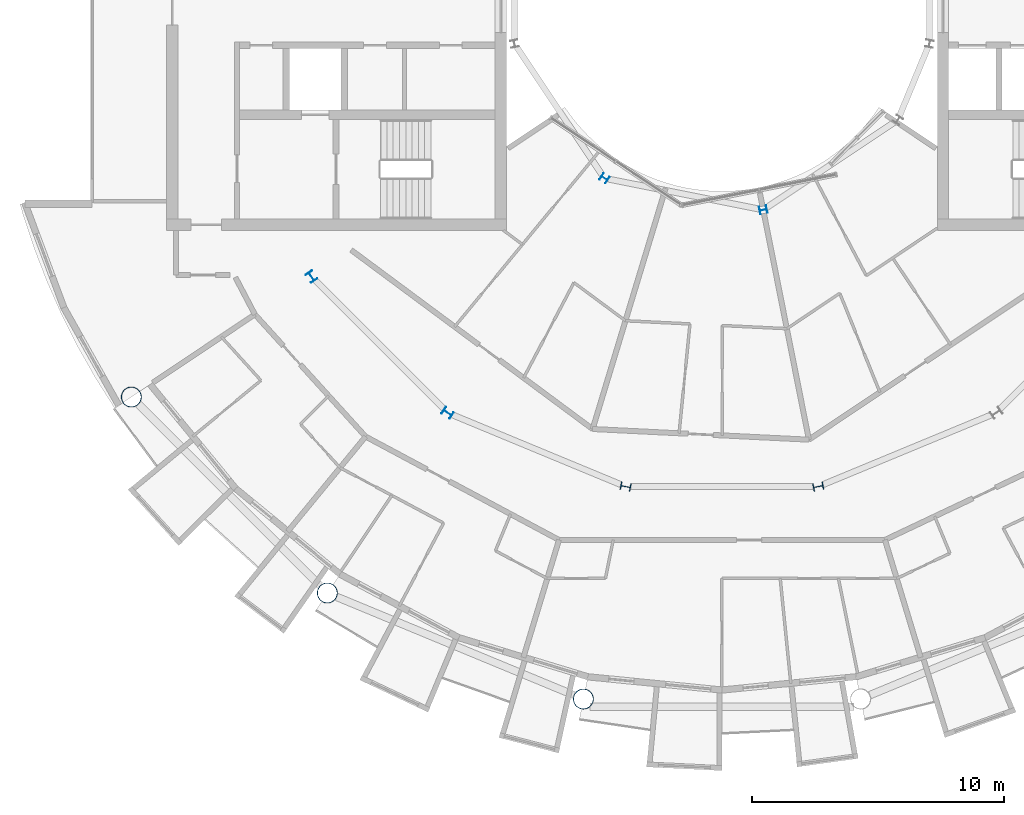
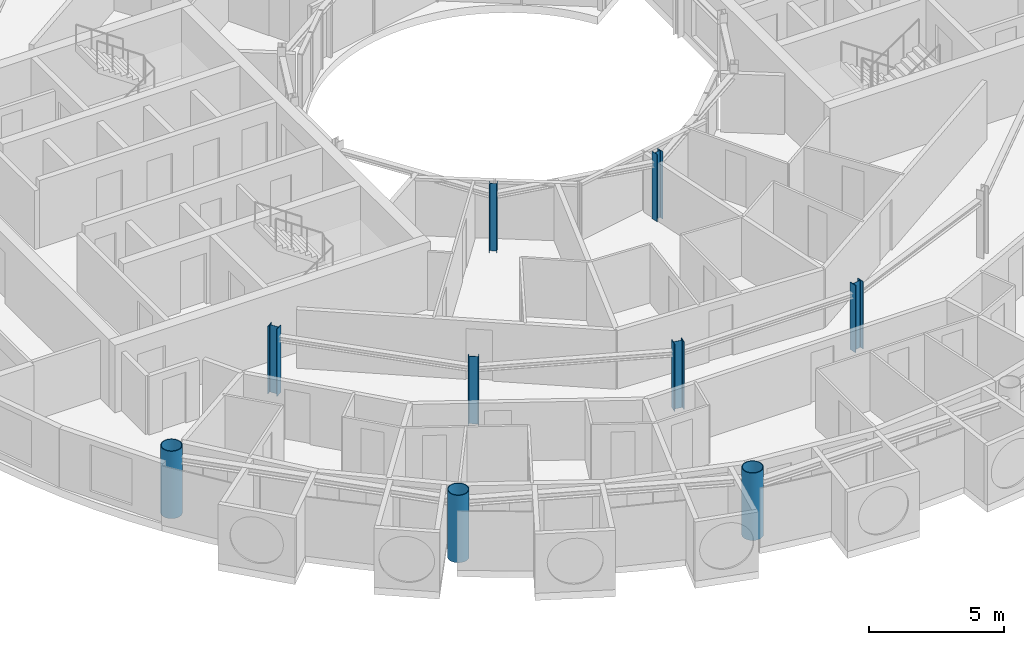
# One storey, part 1 of 28: 9 columns.
"""IFC4 building model written with IfcOpenShell, lengths in metres."""

from ifc_helpers import new_model, si_unit, direction, frame, origin, origin_2d, place, context, subcontext, project, spatial, hollow_circle, i_section, extrude, material, material_profile, profile_set, type_object, element, save


model = new_model("IFC4")

# Units and contexts
model_context = context("Model", 3, precision=1e-05, world=origin(), true_north=direction((0.0, 1.0)))
body_context = subcontext(model_context, "Body", "Model", "MODEL_VIEW")
ifc_project = project(units=[si_unit("LENGTHUNIT", "METRE"), si_unit("AREAUNIT", "SQUARE_METRE"), si_unit("VOLUMEUNIT", "CUBIC_METRE"), si_unit("PLANEANGLEUNIT", "RADIAN"), si_unit("MASSUNIT", "GRAM", prefix="KILO")], contexts=[model_context])

# Site, building, storey
site_placement = place(None, origin())
site = spatial("IfcSite", under=ifc_project, at=site_placement, CompositionType="ELEMENT")
building_placement = place(site_placement, origin())
building = spatial("IfcBuilding", under=site, at=building_placement, Name="Maasbend Ring Residences", CompositionType="ELEMENT")
storey_placement = place(building_placement, frame((0.0, 0.0, 218.800048828125)))
storey = spatial("IfcBuildingStorey", under=building, at=storey_placement, Name="L63", CompositionType="ELEMENT", Elevation=218.800048828125)

# Columns
ifc_material_1 = material(Name="Composite concrete-filled steel tube S460NH / C80/95", Category="concrete")
ifc_material_profile_1 = material_profile(ifc_material_1, hollow_circle(Radius=0.406494140625, WallThickness=0.030029296875, at=origin_2d()), Name="Composite tube column CHS 813x30")
ifc_profile_set_1 = profile_set([ifc_material_profile_1], Name="Composite concrete-filled steel tube S460NH / C80/95")
column_type_1 = type_object("IfcColumnType", Name="Composite tube column CHS 813x30", PredefinedType="COLUMN", material=ifc_profile_set_1)
for number, where, z_axis, x_axis, name in (
    (1, (-23.447509765625, -15.6669921875, 0.0), (0.0, 0.0, 1.0), (1.0, 0.0, 0.0), "Outer column R10"),
    (2, (-15.6669921875, -23.447509765625, 0.0), (0.0, 0.0, 1.0), (1.0, 0.0, 0.0), "Outer column R11"),
    (3, (-5.50146484375, -27.658203125, 0.0), (0.0, 0.0, 1.0), (1.0, 0.0, 0.0), "Outer column R12"),
):
    element("IfcColumn", number, at=place(storey_placement, frame(where, z_axis=z_axis, x_axis=x_axis)), inside=storey, type_object=column_type_1, Name=name, PredefinedType="COLUMN", context=body_context, shape_type="SweptSolid", body=[
        extrude(hollow_circle(Radius=0.406494140625, WallThickness=0.030029296875, at=origin_2d()), origin(), (0.0, 0.0, 1.0), 3.050048828125),
    ])
ifc_material_2 = material(Name="Steel S355J2", Category="steel")
ifc_material_profile_2 = material_profile(ifc_material_2, i_section(OverallWidth=0.300048828125, OverallDepth=0.2900390625, WebThickness=0.008544921875, FlangeThickness=0.013916015625, FilletRadius=0.027099609375, at=origin_2d()), Name="HEA 300")
ifc_profile_set_2 = profile_set([ifc_material_profile_2], Name="Steel S355J2")
column_type_2 = type_object("IfcColumnType", Name="Steel column HEA 300", PredefinedType="COLUMN", material=ifc_profile_set_2)
for number, where, z_axis, x_axis, name in (
    (4, (-4.666748046875, -6.984375, 0.0), (0.0, 0.0, 1.0), (-0.55557023302, -0.831469612303, 0.0), "Well ring column R11"),
    (5, (1.638916015625, -8.238525390625, 0.0), (0.0, 0.0, 1.0), (0.195090322016, -0.980785280403, 0.0), "Well ring column R13"),
):
    element("IfcColumn", number, at=place(storey_placement, frame(where, z_axis=z_axis, x_axis=x_axis)), inside=storey, type_object=column_type_2, Name=name, PredefinedType="COLUMN", context=body_context, shape_type="SweptSolid", body=[
        extrude(i_section(OverallWidth=0.300048828125, OverallDepth=0.2900390625, WebThickness=0.008544921875, FlangeThickness=0.013916015625, FilletRadius=0.027099609375, at=origin_2d()), origin(), (0.0, 0.0, 1.0), 3.050048828125),
    ])
ifc_material_3 = material(Name="Steel S355J2", Category="steel")
ifc_material_profile_3 = material_profile(ifc_material_3, i_section(OverallWidth=0.300048828125, OverallDepth=0.39990234375, WebThickness=0.013427734375, FlangeThickness=0.02392578125, FilletRadius=0.027099609375, at=origin_2d()), Name="HEB 400")
ifc_profile_set_3 = profile_set([ifc_material_profile_3], Name="Steel S355J2")
column_type_3 = type_object("IfcColumnType", Name="Steel column HEB 400", PredefinedType="COLUMN", material=ifc_profile_set_3)
for number, where, z_axis, x_axis, name in (
    (6, (-16.296875, -10.88916015625, 0.0), (0.0, 0.0, 1.0), (-0.831469612303, -0.55557023302, 0.0), "Corridor ring column R10"),
    (7, (-10.88916015625, -16.296875, 0.0), (0.0, 0.0, 1.0), (-0.55557023302, -0.831469612303, 0.0), "Corridor ring column R11"),
    (8, (-3.82373046875, -19.223388671875, 0.0), (0.0, 0.0, 1.0), (-0.195090322016, -0.980785280403, 0.0), "Corridor ring column R12"),
    (9, (3.82373046875, -19.223388671875, 0.0), (0.0, 0.0, 1.0), (0.195090322016, -0.980785280403, 0.0), "Corridor ring column R13"),
):
    element("IfcColumn", number, at=place(storey_placement, frame(where, z_axis=z_axis, x_axis=x_axis)), inside=storey, type_object=column_type_3, Name=name, PredefinedType="COLUMN", context=body_context, shape_type="SweptSolid", body=[
        extrude(i_section(OverallWidth=0.300048828125, OverallDepth=0.39990234375, WebThickness=0.013427734375, FlangeThickness=0.02392578125, FilletRadius=0.027099609375, at=origin_2d()), origin(), (0.0, 0.0, 1.0), 3.050048828125),
    ])

save(model, "model.ifc")
